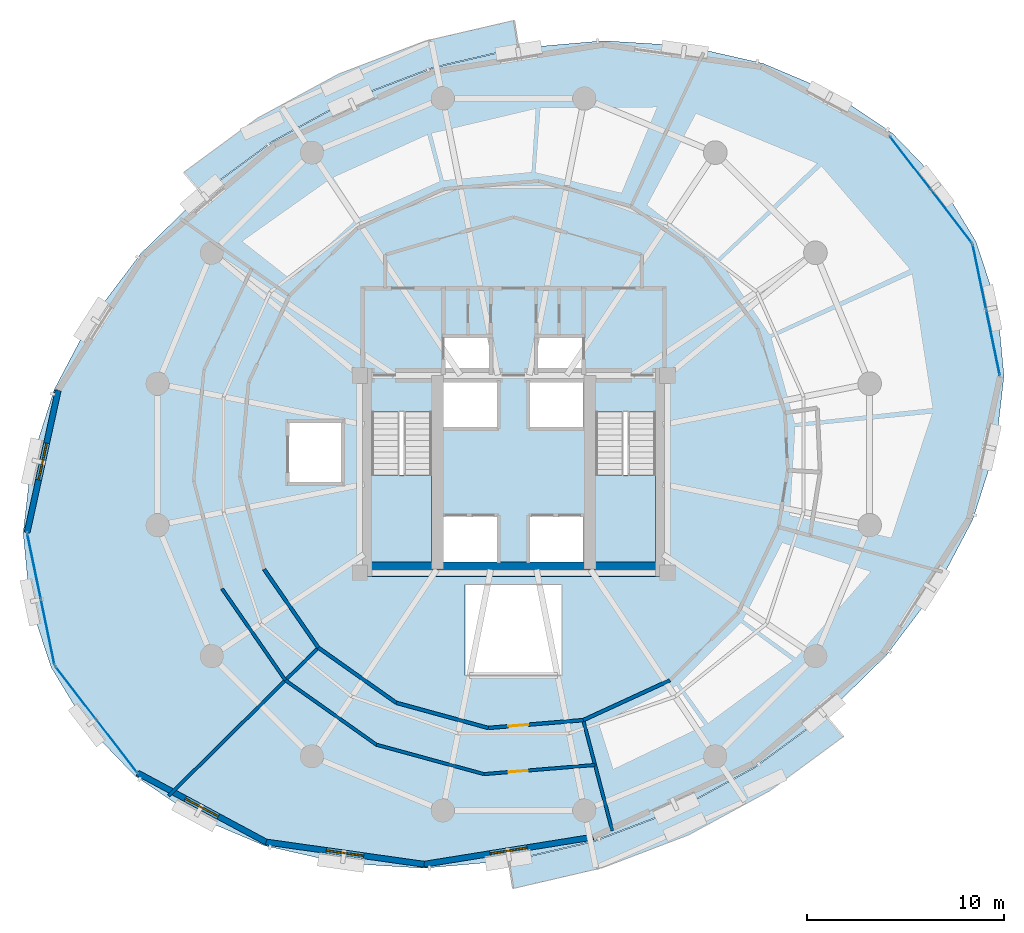
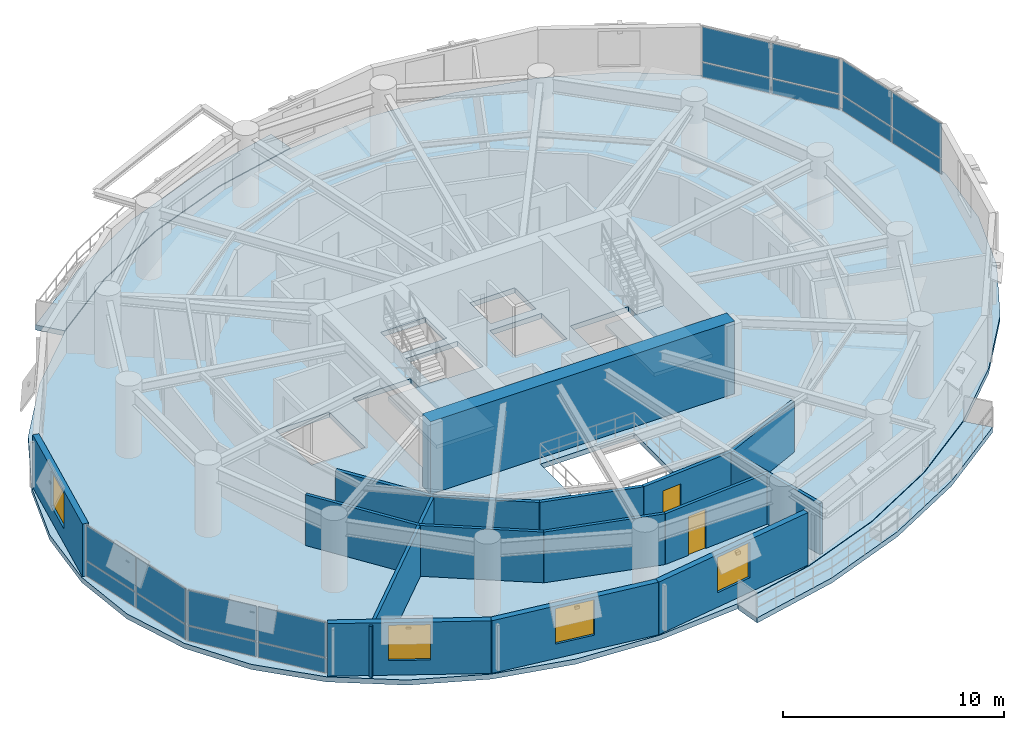
# One storey, part 9 of 14: 16 plates, 16 walls, 5 slabs, 4 windows, 2 doors, 6 openings, 6 elements without a shape of their own.
"""IFC4 building model written with IfcOpenShell, lengths in metres."""

from ifc_helpers import new_model, si_unit, direction, frame, frame_2d, origin, origin_2d, place, context, subcontext, project, spatial, polyline, rectangle, outline, extrude, material, layer, layer_set, type_object, element, fill, aggregate, save


model = new_model("IFC4")

# Units and contexts
model_context = context("Model", 3, precision=1e-05, world=origin(), true_north=direction((0.0, 1.0)))
body_context = subcontext(model_context, "Body", "Model", "MODEL_VIEW")
ifc_project = project(units=[si_unit("LENGTHUNIT", "METRE"), si_unit("AREAUNIT", "SQUARE_METRE"), si_unit("VOLUMEUNIT", "CUBIC_METRE"), si_unit("PLANEANGLEUNIT", "RADIAN"), si_unit("MASSUNIT", "GRAM", prefix="KILO"), si_unit("THERMODYNAMICTEMPERATUREUNIT", "KELVIN"), si_unit("POWERUNIT", "WATT")], contexts=[model_context])

# Site, building, storey
site_placement = place(None, origin())
site = spatial("IfcSite", under=ifc_project, at=site_placement, CompositionType="ELEMENT")
building_placement = place(site_placement, origin())
building = spatial("IfcBuilding", under=site, at=building_placement, Name="Ocrelia Relay Tower", CompositionType="ELEMENT")
storey_placement = place(building_placement, frame((0.0, 0.0, 137.800048828125)))
storey = spatial("IfcBuildingStorey", under=building, at=storey_placement, Name="L32", CompositionType="ELEMENT", Elevation=137.800048828125)

# Curtain wall, plates
ifc_material_1 = material(Name="Aluminium and solar-control low-E glass", Category="aluminium")
ifc_layer_1 = layer(ifc_material_1, 0.179931640625, Name="Aluminium and solar-control low-E glass")
ifc_layer_set_1 = layer_set([ifc_layer_1], Name="Aluminium and solar-control low-E glass")
curtain_wall_type = type_object("IfcCurtainWallType", Name="CW-SYS-Z2-SWIT", PredefinedType="NOTDEFINED", material=ifc_layer_set_1)
curtain_wall_1_placement = place(storey_placement, origin())
curtain_wall_1 = element("IfcCurtainWall", 1, at=curtain_wall_1_placement, inside=storey, type_object=curtain_wall_type, Name="L32 Elliptical Tower Curtain Wall Bay 01", PredefinedType="NOTDEFINED")
ifc_material_2 = material(Name="Clear double-glazed low-E glass", Category="glass")
ifc_layer_2 = layer(ifc_material_2, 0.031982421875, Name="Clear double-glazed low-E glass")
ifc_layer_set_2 = layer_set([ifc_layer_2], Name="Clear double-glazed low-E glass")
plate_type = type_object("IfcPlateType", Name="CW-SYS-Z2-SWIT-PNL", PredefinedType="CURTAIN_PANEL", material=ifc_layer_set_2)
plate_1_placement = place(storey_placement, frame((56.196044921875, 38.072509765625, 0.059814453125), z_axis=(0.0, 0.0, 1.0), x_axis=(-0.611103634519, 0.791550597168, 0.0)))
plate_1 = element("IfcPlate", 2, at=plate_1_placement, type_object=plate_type, Name="CW-Z2 panel 1.1", PredefinedType="CURTAIN_PANEL", context=body_context, shape_type="SweptSolid", body=[
    extrude(rectangle(XDim=3.33447265625, YDim=0.031982421875, at=origin_2d()), origin(), (0.0, 0.0, 1.0), 0.81005859375),
])
plate_2_placement = place(storey_placement, frame((56.196044921875, 38.072509765625, 0.93017578125), z_axis=(0.0, 0.0, 1.0), x_axis=(-0.611103634519, 0.791550597168, 0.0)))
plate_2 = element("IfcPlate", 3, at=plate_2_placement, type_object=plate_type, Name="CW-Z2 panel 1.2", PredefinedType="CURTAIN_PANEL", context=body_context, shape_type="SweptSolid", body=[
    extrude(rectangle(XDim=3.33447265625, YDim=0.031982421875, at=origin_2d()), origin(), (0.0, 0.0, 1.0), 1.909912109375),
])
plate_3_placement = place(storey_placement, frame((54.11572265625, 40.767333984375, 0.059814453125), z_axis=(0.0, 0.0, 1.0), x_axis=(-0.611103634519, 0.791550597168, 0.0)))
plate_3 = element("IfcPlate", 4, at=plate_3_placement, type_object=plate_type, Name="CW-Z2 panel 2.1", PredefinedType="CURTAIN_PANEL", context=body_context, shape_type="SweptSolid", body=[
    extrude(rectangle(XDim=3.33447265625, YDim=0.031982421875, at=origin_2d()), origin(), (0.0, 0.0, 1.0), 0.81005859375),
])
plate_4_placement = place(storey_placement, frame((54.11572265625, 40.767333984375, 0.93017578125), z_axis=(0.0, 0.0, 1.0), x_axis=(-0.611103634519, 0.791550597168, 0.0)))
plate_4 = element("IfcPlate", 5, at=plate_4_placement, type_object=plate_type, Name="CW-Z2 panel 2.2", PredefinedType="CURTAIN_PANEL", context=body_context, shape_type="SweptSolid", body=[
    extrude(rectangle(XDim=3.33447265625, YDim=0.031982421875, at=origin_2d()), origin(), (0.0, 0.0, 1.0), 1.909912109375),
])
aggregate(curtain_wall_1, [plate_1, plate_2, plate_3, plate_4])

curtain_wall_2_placement = place(storey_placement, origin())
curtain_wall_2 = element("IfcCurtainWall", 6, at=curtain_wall_2_placement, inside=storey, type_object=curtain_wall_type, Name="L32 Elliptical Tower Curtain Wall Bay 09", PredefinedType="NOTDEFINED")
plate_5_placement = place(storey_placement, frame((9.69677734375, 20.3369140625, 0.059814453125), z_axis=(0.0, 0.0, 1.0), x_axis=(0.203312170747, -0.979113967435, 0.0)))
plate_5 = element("IfcPlate", 7, at=plate_5_placement, type_object=plate_type, Name="CW-Z2 panel 1.1", PredefinedType="CURTAIN_PANEL", context=body_context, shape_type="SweptSolid", body=[
    extrude(rectangle(XDim=3.33447265625, YDim=0.031982421875, at=origin_2d()), origin(), (0.0, 0.0, 1.0), 0.81005859375),
])
plate_6_placement = place(storey_placement, frame((9.69677734375, 20.3369140625, 0.93017578125), z_axis=(0.0, 0.0, 1.0), x_axis=(0.203312170747, -0.979113967435, 0.0)))
plate_6 = element("IfcPlate", 8, at=plate_6_placement, type_object=plate_type, Name="CW-Z2 panel 1.2", PredefinedType="CURTAIN_PANEL", context=body_context, shape_type="SweptSolid", body=[
    extrude(rectangle(XDim=3.33447265625, YDim=0.031982421875, at=origin_2d()), origin(), (0.0, 0.0, 1.0), 1.909912109375),
])
plate_7_placement = place(storey_placement, frame((10.388916015625, 17.003662109375, 0.059814453125), z_axis=(0.0, 0.0, 1.0), x_axis=(0.203312170747, -0.979113967435, 0.0)))
plate_7 = element("IfcPlate", 9, at=plate_7_placement, type_object=plate_type, Name="CW-Z2 panel 2.1", PredefinedType="CURTAIN_PANEL", context=body_context, shape_type="SweptSolid", body=[
    extrude(rectangle(XDim=3.33447265625, YDim=0.031982421875, at=origin_2d()), origin(), (0.0, 0.0, 1.0), 0.81005859375),
])
plate_8_placement = place(storey_placement, frame((10.388916015625, 17.003662109375, 0.93017578125), z_axis=(0.0, 0.0, 1.0), x_axis=(0.203312170747, -0.979113967435, 0.0)))
plate_8 = element("IfcPlate", 10, at=plate_8_placement, type_object=plate_type, Name="CW-Z2 panel 2.2", PredefinedType="CURTAIN_PANEL", context=body_context, shape_type="SweptSolid", body=[
    extrude(rectangle(XDim=3.33447265625, YDim=0.031982421875, at=origin_2d()), origin(), (0.0, 0.0, 1.0), 1.909912109375),
])
aggregate(curtain_wall_2, [plate_5, plate_6, plate_7, plate_8])

curtain_wall_3_placement = place(storey_placement, origin())
curtain_wall_3 = element("IfcCurtainWall", 11, at=curtain_wall_3_placement, inside=storey, type_object=curtain_wall_type, Name="L32 Elliptical Tower Curtain Wall Bay 10", PredefinedType="NOTDEFINED")
plate_9_placement = place(storey_placement, frame((11.803955078125, 13.927490234375, 0.059814453125), z_axis=(0.0, 0.0, 1.0), x_axis=(0.611103634519, -0.791550597168, 0.0)))
plate_9 = element("IfcPlate", 12, at=plate_9_placement, type_object=plate_type, Name="CW-Z2 panel 1.1", PredefinedType="CURTAIN_PANEL", context=body_context, shape_type="SweptSolid", body=[
    extrude(rectangle(XDim=3.33447265625, YDim=0.031982421875, at=origin_2d()), origin(), (0.0, 0.0, 1.0), 0.81005859375),
])
plate_10_placement = place(storey_placement, frame((11.803955078125, 13.927490234375, 0.93017578125), z_axis=(0.0, 0.0, 1.0), x_axis=(0.611103634519, -0.791550597168, 0.0)))
plate_10 = element("IfcPlate", 13, at=plate_10_placement, type_object=plate_type, Name="CW-Z2 panel 1.2", PredefinedType="CURTAIN_PANEL", context=body_context, shape_type="SweptSolid", body=[
    extrude(rectangle(XDim=3.33447265625, YDim=0.031982421875, at=origin_2d()), origin(), (0.0, 0.0, 1.0), 1.909912109375),
])
plate_11_placement = place(storey_placement, frame((13.88427734375, 11.232666015625, 0.059814453125), z_axis=(0.0, 0.0, 1.0), x_axis=(0.611103634519, -0.791550597168, 0.0)))
plate_11 = element("IfcPlate", 14, at=plate_11_placement, type_object=plate_type, Name="CW-Z2 panel 2.1", PredefinedType="CURTAIN_PANEL", context=body_context, shape_type="SweptSolid", body=[
    extrude(rectangle(XDim=3.33447265625, YDim=0.031982421875, at=origin_2d()), origin(), (0.0, 0.0, 1.0), 0.81005859375),
])
plate_12_placement = place(storey_placement, frame((13.88427734375, 11.232666015625, 0.93017578125), z_axis=(0.0, 0.0, 1.0), x_axis=(0.611103634519, -0.791550597168, 0.0)))
plate_12 = element("IfcPlate", 15, at=plate_12_placement, type_object=plate_type, Name="CW-Z2 panel 2.2", PredefinedType="CURTAIN_PANEL", context=body_context, shape_type="SweptSolid", body=[
    extrude(rectangle(XDim=3.33447265625, YDim=0.031982421875, at=origin_2d()), origin(), (0.0, 0.0, 1.0), 1.909912109375),
])
aggregate(curtain_wall_3, [plate_9, plate_10, plate_11, plate_12])

curtain_wall_4_placement = place(storey_placement, origin())
curtain_wall_4 = element("IfcCurtainWall", 16, at=curtain_wall_4_placement, inside=storey, type_object=curtain_wall_type, Name="L32 Elliptical Tower Curtain Wall Bay 18", PredefinedType="NOTDEFINED")
plate_13_placement = place(storey_placement, frame((58.30322265625, 31.6630859375, 0.059814453125), z_axis=(0.0, 0.0, 1.0), x_axis=(-0.203312170747, 0.979113967435, 0.0)))
plate_13 = element("IfcPlate", 17, at=plate_13_placement, type_object=plate_type, Name="CW-Z2 panel 1.1", PredefinedType="CURTAIN_PANEL", context=body_context, shape_type="SweptSolid", body=[
    extrude(rectangle(XDim=3.33447265625, YDim=0.031982421875, at=origin_2d()), origin(), (0.0, 0.0, 1.0), 0.81005859375),
])
plate_14_placement = place(storey_placement, frame((58.30322265625, 31.6630859375, 0.93017578125), z_axis=(0.0, 0.0, 1.0), x_axis=(-0.203312170747, 0.979113967435, 0.0)))
plate_14 = element("IfcPlate", 18, at=plate_14_placement, type_object=plate_type, Name="CW-Z2 panel 1.2", PredefinedType="CURTAIN_PANEL", context=body_context, shape_type="SweptSolid", body=[
    extrude(rectangle(XDim=3.33447265625, YDim=0.031982421875, at=origin_2d()), origin(), (0.0, 0.0, 1.0), 1.909912109375),
])
plate_15_placement = place(storey_placement, frame((57.611083984375, 34.996337890625, 0.059814453125), z_axis=(0.0, 0.0, 1.0), x_axis=(-0.203312170747, 0.979113967435, 0.0)))
plate_15 = element("IfcPlate", 19, at=plate_15_placement, type_object=plate_type, Name="CW-Z2 panel 2.1", PredefinedType="CURTAIN_PANEL", context=body_context, shape_type="SweptSolid", body=[
    extrude(rectangle(XDim=3.33447265625, YDim=0.031982421875, at=origin_2d()), origin(), (0.0, 0.0, 1.0), 0.81005859375),
])
plate_16_placement = place(storey_placement, frame((57.611083984375, 34.996337890625, 0.93017578125), z_axis=(0.0, 0.0, 1.0), x_axis=(-0.203312170747, 0.979113967435, 0.0)))
plate_16 = element("IfcPlate", 20, at=plate_16_placement, type_object=plate_type, Name="CW-Z2 panel 2.2", PredefinedType="CURTAIN_PANEL", context=body_context, shape_type="SweptSolid", body=[
    extrude(rectangle(XDim=3.33447265625, YDim=0.031982421875, at=origin_2d()), origin(), (0.0, 0.0, 1.0), 1.909912109375),
])
aggregate(curtain_wall_4, [plate_13, plate_14, plate_15, plate_16])

# Slabs
ifc_material_3 = material(Name="Precast concrete C40/50", Category="concrete")
ifc_layer_3 = layer(ifc_material_3, 0.280029296875, Name="Precast concrete C40/50")
ifc_layer_set_3 = layer_set([ifc_layer_3], Name="Precast concrete C40/50")
slab_type_1 = type_object("IfcSlabType", Name="SL-BALC-280", PredefinedType="FLOOR", material=ifc_layer_set_3)
slab_1_placement = place(storey_placement, frame((0.0, 0.0, -0.280029296875)))
element("IfcSlab", 21, at=slab_1_placement, inside=storey, type_object=slab_type_1, Name="L32 Planted Loggia Balcony B1", PredefinedType="FLOOR", context=body_context, shape_type="SweptSolid", body=[
    extrude(outline(polyline([(34.2373046875, 46.62060546875), (32.075439453125, 46.118408203125), (29.913330078125, 45.6162109375), (25.713623046875, 44.015869140625), (21.765625, 41.868408203125), (19.977294921875, 40.5537109375), (18.18896484375, 39.2392578125), (17.28662109375, 40.301025390625), (19.152587890625, 41.6728515625), (21.018310546875, 43.04443359375), (25.131591796875, 45.281494140625), (29.5068359375, 46.948486328125), (31.762451171875, 47.47265625), (34.018310546875, 47.99658203125), (34.2373046875, 46.62060546875)])), origin(), (0.0, 0.0, 1.0), 0.280029296875),
])
slab_2_placement = place(storey_placement, frame((0.0, 0.0, -0.280029296875)))
element("IfcSlab", 22, at=slab_2_placement, inside=storey, type_object=slab_type_1, Name="L32 Planted Loggia Balcony B2", PredefinedType="FLOOR", context=body_context, shape_type="SweptSolid", body=[
    extrude(outline(polyline([(33.7626953125, 5.37939453125), (35.924560546875, 5.881591796875), (38.086669921875, 6.3837890625), (42.286376953125, 7.984130859375), (46.234375, 10.131591796875), (48.022705078125, 11.446044921875), (49.81103515625, 12.7607421875), (50.71337890625, 11.698974609375), (48.847412109375, 10.3271484375), (46.981689453125, 8.95556640625), (42.868408203125, 6.718505859375), (38.4931640625, 5.051513671875), (36.237548828125, 4.52734375), (33.981689453125, 4.00341796875), (33.7626953125, 5.37939453125)])), origin(), (0.0, 0.0, 1.0), 0.280029296875),
])
ifc_material_4 = material(Name="Concrete C50/60", Category="concrete")
ifc_layer_4 = layer(ifc_material_4, 0.280029296875, Name="Concrete C50/60")
ifc_layer_set_4 = layer_set([ifc_layer_4], Name="Concrete C50/60")
slab_type_2 = type_object("IfcSlabType", Name="SL-FLR-280", PredefinedType="FLOOR", material=ifc_layer_set_4)
slab_3_placement = place(storey_placement, frame((0.0, 0.0, -0.280029296875)))
element("IfcSlab", 23, at=slab_3_placement, inside=storey, type_object=slab_type_2, Name="L32 Elliptical Tower Floor Slab", PredefinedType="FLOOR", context=body_context, shape_type="SweptSolid", body=[
    extrude(outline(polyline([(57.439453125, 36.781005859375), (55.646728515625, 39.74072265625), (53.196044921875, 42.283203125), (50.162353515625, 44.330810546875), (46.637451171875, 45.821533203125), (42.728515625, 46.709716796875), (38.554443359375, 46.968994140625), (34.241943359375, 46.5908203125), (29.922119140625, 45.58740234375), (25.726318359375, 43.988525390625), (21.78173828125, 41.843017578125), (18.20849609375, 39.21630859375), (15.114990234375, 36.18798828125), (12.59521484375, 32.85009765625), (10.72607421875, 29.30419921875), (9.56396484375, 25.65771484375), (9.144287109375, 22.021484375), (9.47998046875, 18.506591796875), (10.560546875, 15.218994140625), (12.353271484375, 12.25927734375), (14.803955078125, 9.716796875), (17.837646484375, 7.669189453125), (21.362548828125, 6.178466796875), (25.271484375, 5.290283203125), (29.445556640625, 5.031005859375), (33.758056640625, 5.4091796875), (38.077880859375, 6.41259765625), (42.273681640625, 8.011474609375), (46.21826171875, 10.156982421875), (49.79150390625, 12.78369140625), (52.885009765625, 15.81201171875), (55.40478515625, 19.14990234375), (57.27392578125, 22.69580078125), (58.43603515625, 26.34228515625), (58.855712890625, 29.978515625), (58.52001953125, 33.493408203125), (57.439453125, 36.781005859375)]), holes=[polyline([(26.81005859375, 28.14990234375), (26.81005859375, 20.550048828125), (29.85009765625, 20.550048828125), (29.85009765625, 28.14990234375), (26.81005859375, 28.14990234375)]), polyline([(38.159912109375, 28.14990234375), (38.159912109375, 20.550048828125), (41.199951171875, 20.550048828125), (41.199951171875, 28.14990234375), (38.159912109375, 28.14990234375)]), polyline([(30.4599609375, 20.550048828125), (33.159912109375, 20.550048828125), (33.159912109375, 22.85009765625), (30.4599609375, 22.85009765625), (30.4599609375, 20.550048828125)]), polyline([(34.840087890625, 20.550048828125), (37.5400390625, 20.550048828125), (37.5400390625, 22.85009765625), (34.840087890625, 22.85009765625), (34.840087890625, 20.550048828125)]), polyline([(30.4599609375, 27.35009765625), (33.159912109375, 27.35009765625), (33.159912109375, 29.64990234375), (30.4599609375, 29.64990234375), (30.4599609375, 27.35009765625)]), polyline([(34.840087890625, 27.35009765625), (37.5400390625, 27.35009765625), (37.5400390625, 29.64990234375), (34.840087890625, 29.64990234375), (34.840087890625, 27.35009765625)]), polyline([(30.5, 30.10009765625), (32.85009765625, 30.10009765625), (32.85009765625, 32.0), (30.5, 32.0), (30.5, 30.10009765625)]), polyline([(35.14990234375, 30.10009765625), (37.5, 30.10009765625), (37.5, 32.0), (35.14990234375, 32.0), (35.14990234375, 30.10009765625)]), polyline([(22.550048828125, 24.5), (25.35009765625, 24.5), (25.35009765625, 27.699951171875), (22.550048828125, 27.699951171875), (22.550048828125, 24.5)]), polyline([(31.550048828125, 14.800048828125), (36.449951171875, 14.800048828125), (36.449951171875, 19.39990234375), (31.550048828125, 19.39990234375), (31.550048828125, 14.800048828125)])]), origin(), (0.0, 0.0, 1.0), 0.280029296875),
])

# Stair, slab
stair_type = type_object("IfcStairType", Name="ST-DL-1420-R167", PredefinedType="HALF_TURN_STAIR", material=ifc_material_4)
stair_1_placement = place(storey_placement, origin())
stair_1 = element("IfcStair", 24, at=stair_1_placement, inside=storey, type_object=stair_type, Name="L32 West Core Exit Stair ST1", PredefinedType="HALF_TURN_STAIR")
ifc_layer_5 = layer(ifc_material_4, 0.199951171875, Name="Concrete C50/60")
ifc_layer_set_5 = layer_set([ifc_layer_5], Name="Concrete C50/60")
slab_type_3 = type_object("IfcSlabType", Name="SL-LANDING-200", PredefinedType="LANDING", material=ifc_layer_set_5)
slab_4_placement = place(storey_placement, frame((0.0, 0.0, 1.800048828125)))
slab_4 = element("IfcSlab", 25, at=slab_4_placement, type_object=slab_type_3, Name="ST1 landing 1", PredefinedType="LANDING", context=body_context, shape_type="SweptSolid", body=[
    extrude(outline(polyline([(26.81005859375, 24.9599609375), (26.81005859375, 20.550048828125), (29.85009765625, 20.550048828125), (29.85009765625, 24.9599609375), (26.81005859375, 24.9599609375)])), origin(), (0.0, 0.0, 1.0), 0.199951171875),
])
aggregate(stair_1, [slab_4])

stair_2_placement = place(storey_placement, origin())
stair_2 = element("IfcStair", 26, at=stair_2_placement, inside=storey, type_object=stair_type, Name="L32 East Core Exit Stair ST2", PredefinedType="HALF_TURN_STAIR")
slab_5_placement = place(storey_placement, frame((0.0, 0.0, 1.800048828125)))
slab_5 = element("IfcSlab", 27, at=slab_5_placement, type_object=slab_type_3, Name="ST2 landing 1", PredefinedType="LANDING", context=body_context, shape_type="SweptSolid", body=[
    extrude(outline(polyline([(38.159912109375, 24.9599609375), (38.159912109375, 20.550048828125), (41.199951171875, 20.550048828125), (41.199951171875, 24.9599609375), (38.159912109375, 24.9599609375)])), origin(), (0.0, 0.0, 1.0), 0.199951171875),
])
aggregate(stair_2, [slab_5])

# Walls
ifc_material_5 = material(Name="Concrete C60/75", Category="concrete")
ifc_layer_6 = layer(ifc_material_5, 0.75, Name="Concrete C60/75")
ifc_layer_set_6 = layer_set([ifc_layer_6], Name="Concrete C60/75")
wall_type_1 = type_object("IfcWallType", Name="CW-CORE-750", PredefinedType="SHEAR", material=ifc_layer_set_6)
wall_1_placement = place(storey_placement, frame((26.072021484375, 20.18701171875, 0.0), z_axis=(0.0, 0.0, 1.0), x_axis=(1.0, 0.0, 0.0)))
element("IfcWall", 28, at=wall_1_placement, inside=storey, type_object=wall_type_1, Name="L32 Core Shear Wall S", PredefinedType="SHEAR", context=body_context, shape_type="SweptSolid", body=[
    extrude(rectangle(XDim=15.865966796875, YDim=0.75, at=frame_2d((7.93310546875, 0.0))), origin(), (0.0, 0.0, 1.0), 4.0),
])
ifc_material_6 = material(Name="Gypsum Fireboard Partition EI60", Category="gypsum")
ifc_layer_7 = layer(ifc_material_6, 0.179931640625, Name="Gypsum Fireboard Partition EI60")
ifc_layer_set_7 = layer_set([ifc_layer_7], Name="Gypsum Fireboard Partition EI60")
wall_type_2 = type_object("IfcWallType", Name="W-CORR-EI60-180", PredefinedType="PARTITIONING", material=ifc_layer_set_7)
wall_2_placement = place(storey_placement, frame((21.353515625, 20.183349609375, 0.0), z_axis=(0.0, 0.0, 1.0), x_axis=(0.569286130339, -0.822139466151, 0.0)))
element("IfcWall", 29, at=wall_2_placement, inside=storey, type_object=wall_type_2, Name="L32 Executive Reading Study Corridor Partition 4", PredefinedType="PARTITIONING", context=body_context, shape_type="SweptSolid", body=[
    extrude(rectangle(XDim=4.83447265625, YDim=0.179931640625, at=frame_2d((2.417236328125, 0.0))), origin(), (0.0, 0.0, 1.0), 2.800048828125),
])
for number, where, z_axis, x_axis, name in (
    (30, (24.105712890625, 16.208740234375, 0.0), (0.0, 0.0, 1.0), (0.816152495169, -0.577836572596, 0.0), "L32 Day Lounge East Corridor Partition 1"),
    (31, (28.05126953125, 13.415283203125, 0.0), (0.0, 0.0, 1.0), (0.964543215503, -0.263924961737, 0.0), "L32 Day Lounge East Corridor Partition 2"),
):
    element("IfcWall", number, at=place(storey_placement, frame(where, z_axis=z_axis, x_axis=x_axis)), inside=storey, type_object=wall_type_2, Name=name, PredefinedType="PARTITIONING", context=body_context, shape_type="SweptSolid", body=[
        extrude(rectangle(XDim=4.834228515625, YDim=0.179931640625, at=frame_2d((2.4169921875, 0.0))), origin(), (0.0, 0.0, 1.0), 2.800048828125),
    ])

# Wall, opening, door
wall_3_placement = place(storey_placement, frame((32.714111328125, 12.139404296875, 0.0), z_axis=(0.0, 0.0, 1.0), x_axis=(0.996635375419, 0.081962970069, 0.0)))
wall_3 = element("IfcWall", 32, at=wall_3_placement, inside=storey, type_object=wall_type_2, Name="L32 Day Lounge East Corridor Partition 3", PredefinedType="PARTITIONING", context=body_context, shape_type="SweptSolid", body=[
    extrude(rectangle(XDim=4.83447265625, YDim=0.179931640625, at=frame_2d((2.417236328125, 0.0))), origin(), (0.0, 0.0, 1.0), 2.800048828125),
])
opening_1_placement = place(wall_3_placement, frame((1.03369140625, 0.0, 0.0)))
opening_1 = element("IfcOpeningElement", 33, at=opening_1_placement, cuts=wall_3, Name="Opening D-RM100", PredefinedType="OPENING", context=body_context, shape_type="SweptSolid", body=[
    extrude(rectangle(XDim=1.0, YDim=2.14990234375, at=frame_2d((0.5, 1.074951171875))), frame((0.0, 0.10009765625, 0.0), z_axis=(0.0, -1.0, 0.0), x_axis=(1.0, 0.0, 0.0)), (0.0, 0.0, 1.0), 0.199951171875),
])
ifc_material_7 = material(Name="Acoustic oak veneer fire door", Category="wood")
door_type_1 = type_object("IfcDoorType", Name="DR-ROOM-FD60-1000", OperationType="NOTDEFINED", PredefinedType="DOOR", material=ifc_material_7)
door_1_placement = place(opening_1_placement, origin())
door_1 = element("IfcDoor", 34, at=door_1_placement, inside=storey, type_object=door_type_1, Name="L32 Day Lounge East Entrance Door", OperationType="SINGLE_SWING_RIGHT", OverallHeight=2.14990234375, OverallWidth=1.0, PredefinedType="DOOR", context=body_context, shape_type="SweptSolid", body=[
    extrude(rectangle(XDim=1.0, YDim=2.14990234375, at=frame_2d((0.5, 1.074951171875))), frame((0.0, 0.02490234375, 0.0), z_axis=(0.0, -1.0, 0.0), x_axis=(1.0, 0.0, 0.0)), (0.0, 0.0, 1.0), 0.050048828125),
])
fill(opening_1, door_1)

# Wall
wall_4_placement = place(storey_placement, frame((37.5322265625, 12.53564453125, 0.0), z_axis=(0.0, 0.0, 1.0), x_axis=(0.90849812175, 0.417888935935, 0.0)))
element("IfcWall", 35, at=wall_4_placement, inside=storey, type_object=wall_type_2, Name="L32 Optical Systems Laboratory Corridor Partition 1", PredefinedType="PARTITIONING", context=body_context, shape_type="SweptSolid", body=[
    extrude(rectangle(XDim=4.83447265625, YDim=0.179931640625, at=frame_2d((2.417236328125, 0.0))), origin(), (0.0, 0.0, 1.0), 2.800048828125),
])

# Wall, opening, window
ifc_material_8 = material(Name="Precast concrete C40/50 with oxide terracotta", Category="masonry")
ifc_layer_8 = layer(ifc_material_8, 0.300048828125, Name="Precast concrete C40/50 with oxide terracotta")
ifc_layer_set_8 = layer_set([ifc_layer_8], Name="Precast concrete C40/50 with oxide terracotta")
wall_type_3 = type_object("IfcWallType", Name="W-EXT-TERR-300", PredefinedType="SOLIDWALL", material=ifc_layer_set_8)
wall_5_placement = place(storey_placement, frame((10.9189453125, 29.251220703125, 0.0), z_axis=(0.0, 0.0, 1.0), x_axis=(-0.213382283, -0.976968782153, 0.0)))
wall_5 = element("IfcWall", 36, at=wall_5_placement, inside=storey, type_object=wall_type_3, Name="L32 Oxide Terracotta Facade Wall 08", PredefinedType="SOLIDWALL", context=body_context, shape_type="SweptSolid", body=[
    extrude(rectangle(XDim=7.383056640625, YDim=0.300048828125, at=frame_2d((3.69140625, 0.0))), origin(), (0.0, 0.0, 1.0), 2.89990234375),
])
opening_2_placement = place(wall_5_placement, frame((2.741943359375, 0.0, 0.800048828125)))
opening_2 = element("IfcOpeningElement", 37, at=opening_2_placement, cuts=wall_5, Name="Opening W-06", PredefinedType="OPENING", context=body_context, shape_type="SweptSolid", body=[
    extrude(rectangle(XDim=1.89990234375, YDim=1.949951171875, at=frame_2d((0.949951171875, 0.97509765625))), frame((0.0, 0.16015625, 0.0), z_axis=(0.0, -1.0, 0.0), x_axis=(1.0, 0.0, 0.0)), (0.0, 0.0, 1.0), 0.320068359375),
])
window_type = type_object("IfcWindowType", Name="WIN-Z2-1900x2100", PartitioningType="DOUBLE_PANEL_VERTICAL", PredefinedType="WINDOW", material=ifc_material_2)
window_1_placement = place(opening_2_placement, origin())
window_1 = element("IfcWindow", 38, at=window_1_placement, inside=storey, type_object=window_type, Name="L32 Facade Module Window 08", OverallHeight=1.949951171875, OverallWidth=1.89990234375, PartitioningType="SINGLE_PANEL", PredefinedType="WINDOW", context=body_context, shape_type="SweptSolid", body=[
    extrude(rectangle(XDim=1.89990234375, YDim=1.949951171875, at=frame_2d((0.949951171875, 0.97509765625))), frame((0.0, 0.030029296875, 0.0), z_axis=(0.0, -1.0, 0.0), x_axis=(1.0, 0.0, 0.0)), (0.0, 0.0, 1.0), 0.06005859375),
])
fill(opening_2, window_1)

wall_6_placement = place(storey_placement, frame((14.946044921875, 9.857421875, 0.0), z_axis=(0.0, 0.0, 1.0), x_axis=(0.880640929012, -0.473784290736, 0.0)))
wall_6 = element("IfcWall", 39, at=wall_6_placement, inside=storey, type_object=wall_type_3, Name="L32 Oxide Terracotta Facade Wall 11", PredefinedType="SOLIDWALL", context=body_context, shape_type="SweptSolid", body=[
    extrude(rectangle(XDim=7.38330078125, YDim=0.300048828125, at=frame_2d((3.691650390625, 0.0))), origin(), (0.0, 0.0, 1.0), 2.89990234375),
])
opening_3_placement = place(wall_6_placement, frame((2.741943359375, 0.0, 0.800048828125)))
opening_3 = element("IfcOpeningElement", 40, at=opening_3_placement, cuts=wall_6, Name="Opening W-06", PredefinedType="OPENING", context=body_context, shape_type="SweptSolid", body=[
    extrude(rectangle(XDim=1.89990234375, YDim=1.949951171875, at=frame_2d((0.949951171875, 0.97509765625))), frame((0.0, 0.16015625, 0.0), z_axis=(0.0, -1.0, 0.0), x_axis=(1.0, 0.0, 0.0)), (0.0, 0.0, 1.0), 0.320068359375),
])
window_2_placement = place(opening_3_placement, origin())
window_2 = element("IfcWindow", 41, at=window_2_placement, inside=storey, type_object=window_type, Name="L32 Facade Module Window 11", OverallHeight=1.949951171875, OverallWidth=1.89990234375, PartitioningType="SINGLE_PANEL", PredefinedType="WINDOW", context=body_context, shape_type="SweptSolid", body=[
    extrude(rectangle(XDim=1.89990234375, YDim=1.949951171875, at=frame_2d((0.949951171875, 0.97509765625))), frame((0.0, 0.030029296875, 0.0), z_axis=(0.0, -1.0, 0.0), x_axis=(1.0, 0.0, 0.0)), (0.0, 0.0, 1.0), 0.06005859375),
])
fill(opening_3, window_2)

wall_7_placement = place(storey_placement, frame((21.447998046875, 6.359375, 0.0), z_axis=(0.0, 0.0, 1.0), x_axis=(0.990224451803, -0.139483099518, 0.0)))
wall_7 = element("IfcWall", 42, at=wall_7_placement, inside=storey, type_object=wall_type_3, Name="L32 Oxide Terracotta Facade Wall 12", PredefinedType="SOLIDWALL", context=body_context, shape_type="SweptSolid", body=[
    extrude(rectangle(XDim=8.09521484375, YDim=0.300048828125, at=frame_2d((4.047607421875, 0.0))), origin(), (0.0, 0.0, 1.0), 2.89990234375),
])
opening_4_placement = place(wall_7_placement, frame((3.097900390625, 0.0, 0.800048828125)))
opening_4 = element("IfcOpeningElement", 43, at=opening_4_placement, cuts=wall_7, Name="Opening W-06", PredefinedType="OPENING", context=body_context, shape_type="SweptSolid", body=[
    extrude(rectangle(XDim=1.89990234375, YDim=1.949951171875, at=frame_2d((0.949951171875, 0.97509765625))), frame((0.0, 0.16015625, 0.0), z_axis=(0.0, -1.0, 0.0), x_axis=(1.0, 0.0, 0.0)), (0.0, 0.0, 1.0), 0.320068359375),
])
window_3_placement = place(opening_4_placement, origin())
window_3 = element("IfcWindow", 44, at=window_3_placement, inside=storey, type_object=window_type, Name="L32 Facade Module Window 12", OverallHeight=1.949951171875, OverallWidth=1.89990234375, PartitioningType="SINGLE_PANEL", PredefinedType="WINDOW", context=body_context, shape_type="SweptSolid", body=[
    extrude(rectangle(XDim=1.89990234375, YDim=1.949951171875, at=frame_2d((0.949951171875, 0.97509765625))), frame((0.0, 0.030029296875, 0.0), z_axis=(0.0, -1.0, 0.0), x_axis=(1.0, 0.0, 0.0)), (0.0, 0.0, 1.0), 0.06005859375),
])
fill(opening_4, window_3)

wall_8_placement = place(storey_placement, frame((29.464111328125, 5.230224609375, 0.0), z_axis=(0.0, 0.0, 1.0), x_axis=(0.987334308652, 0.158653594217, 0.0)))
wall_8 = element("IfcWall", 45, at=wall_8_placement, inside=storey, type_object=wall_type_3, Name="L32 Oxide Terracotta Facade Wall 13", PredefinedType="SOLIDWALL", context=body_context, shape_type="SweptSolid", body=[
    extrude(rectangle(XDim=8.6728515625, YDim=0.300048828125, at=frame_2d((4.33642578125, 0.0))), origin(), (0.0, 0.0, 1.0), 2.89990234375),
])
opening_5_placement = place(wall_8_placement, frame((3.385986328125, 0.0, 0.800048828125)))
opening_5 = element("IfcOpeningElement", 46, at=opening_5_placement, cuts=wall_8, Name="Opening W-06", PredefinedType="OPENING", context=body_context, shape_type="SweptSolid", body=[
    extrude(rectangle(XDim=1.89990234375, YDim=1.949951171875, at=frame_2d((0.949951171875, 0.97509765625))), frame((0.0, 0.16015625, 0.0), z_axis=(0.0, -1.0, 0.0), x_axis=(1.0, 0.0, 0.0)), (0.0, 0.0, 1.0), 0.320068359375),
])
window_4_placement = place(opening_5_placement, origin())
window_4 = element("IfcWindow", 47, at=window_4_placement, inside=storey, type_object=window_type, Name="L32 Facade Module Window 13", OverallHeight=1.949951171875, OverallWidth=1.89990234375, PartitioningType="SINGLE_PANEL", PredefinedType="WINDOW", context=body_context, shape_type="SweptSolid", body=[
    extrude(rectangle(XDim=1.89990234375, YDim=1.949951171875, at=frame_2d((0.949951171875, 0.97509765625))), frame((0.0, 0.030029296875, 0.0), z_axis=(0.0, -1.0, 0.0), x_axis=(1.0, 0.0, 0.0)), (0.0, 0.0, 1.0), 0.06005859375),
])
fill(opening_5, window_4)

# Walls
ifc_material_9 = material(Name="Acoustic Fireboard Partition EI60", Category="gypsum")
ifc_layer_9 = layer(ifc_material_9, 0.159912109375, Name="Acoustic Fireboard Partition EI60")
ifc_layer_set_9 = layer_set([ifc_layer_9], Name="Acoustic Fireboard Partition EI60")
wall_type_4 = type_object("IfcWallType", Name="W-PART-160", PredefinedType="PARTITIONING", material=ifc_layer_set_9)
wall_9_placement = place(storey_placement, frame((24.105712890625, 16.208740234375, 0.0), z_axis=(0.0, 0.0, 1.0), x_axis=(-0.710810236464, -0.703383826754, 0.0)))
element("IfcWall", 48, at=wall_9_placement, inside=storey, type_object=wall_type_4, Name="L32 Executive Reading Study Radial Partition", PredefinedType="PARTITIONING", context=body_context, shape_type="SweptSolid", body=[
    extrude(rectangle(XDim=10.684326171875, YDim=0.159912109375, at=frame_2d((5.34228515625, 0.0))), origin(), (0.0, 0.0, 1.0), 2.800048828125),
])
wall_10_placement = place(storey_placement, frame((19.218505859375, 19.201416015625, 0.0), z_axis=(0.0, 0.0, 1.0), x_axis=(0.56929085893, -0.822136191843, 0.0)))
element("IfcWall", 49, at=wall_10_placement, inside=storey, type_object=wall_type_4, Name="L32 Perimeter Executive Reading Study Mid-Ring Partition 4", PredefinedType="PARTITIONING", context=body_context, shape_type="SweptSolid", body=[
    extrude(rectangle(XDim=5.650634765625, YDim=0.159912109375, at=frame_2d((2.8251953125, 0.0))), origin(), (0.0, 0.0, 1.0), 2.800048828125),
])
wall_11_placement = place(storey_placement, frame((37.5322265625, 12.53564453125, 0.0), z_axis=(0.0, 0.0, 1.0), x_axis=(0.253753983921, -0.967268791828, 0.0)))
element("IfcWall", 50, at=wall_11_placement, inside=storey, type_object=wall_type_4, Name="L32 Day Lounge East Radial Partition", PredefinedType="PARTITIONING", context=body_context, shape_type="SweptSolid", body=[
    extrude(rectangle(XDim=5.803466796875, YDim=0.159912109375, at=frame_2d((2.90185546875, 0.0))), origin(), (0.0, 0.0, 1.0), 2.800048828125),
])
wall_12_placement = place(storey_placement, frame((22.435302734375, 14.555908203125, 0.0), z_axis=(0.0, 0.0, 1.0), x_axis=(0.816120422412, -0.577881870388, 0.0)))
element("IfcWall", 51, at=wall_12_placement, inside=storey, type_object=wall_type_4, Name="L32 Perimeter Day Lounge East Mid-Ring Partition 1", PredefinedType="PARTITIONING", context=body_context, shape_type="SweptSolid", body=[
    extrude(rectangle(XDim=5.650634765625, YDim=0.159912109375, at=frame_2d((2.8251953125, 0.0))), origin(), (0.0, 0.0, 1.0), 2.800048828125),
])
wall_13_placement = place(storey_placement, frame((27.046875, 11.29052734375, 0.0), z_axis=(0.0, 0.0, 1.0), x_axis=(0.96455912649, -0.263866806373, 0.0)))
element("IfcWall", 52, at=wall_13_placement, inside=storey, type_object=wall_type_4, Name="L32 Perimeter Day Lounge East Mid-Ring Partition 2", PredefinedType="PARTITIONING", context=body_context, shape_type="SweptSolid", body=[
    extrude(rectangle(XDim=5.650390625, YDim=0.159912109375, at=frame_2d((2.8251953125, 0.0))), origin(), (0.0, 0.0, 1.0), 2.800048828125),
])

# Wall, opening, door
wall_14_placement = place(storey_placement, frame((32.4970703125, 9.799560546875, 0.0), z_axis=(0.0, 0.0, 1.0), x_axis=(0.996635455181, 0.081962000194, 0.0)))
wall_14 = element("IfcWall", 53, at=wall_14_placement, inside=storey, type_object=wall_type_4, Name="L32 Perimeter Day Lounge East Mid-Ring Partition 3", PredefinedType="PARTITIONING", context=body_context, shape_type="SweptSolid", body=[
    extrude(rectangle(XDim=5.650634765625, YDim=0.159912109375, at=frame_2d((2.8251953125, 0.0))), origin(), (0.0, 0.0, 1.0), 2.800048828125),
])
opening_6_placement = place(wall_14_placement, frame((1.26513671875, 0.0, 0.0)))
opening_6 = element("IfcOpeningElement", 54, at=opening_6_placement, cuts=wall_14, Name="Opening D-RM95", PredefinedType="OPENING", context=body_context, shape_type="SweptSolid", body=[
    extrude(rectangle(XDim=0.949951171875, YDim=2.14990234375, at=frame_2d((0.47509765625, 1.074951171875))), frame((0.0, 0.08984375, 0.0), z_axis=(0.0, -1.0, 0.0), x_axis=(1.0, 0.0, 0.0)), (0.0, 0.0, 1.0), 0.179931640625),
])
door_type_2 = type_object("IfcDoorType", Name="DR-ROOM-950", OperationType="NOTDEFINED", PredefinedType="DOOR", material=ifc_material_7)
door_2_placement = place(opening_6_placement, origin())
door_2 = element("IfcDoor", 55, at=door_2_placement, inside=storey, type_object=door_type_2, Name="L32 Perimeter Day Lounge East Connecting Door", OperationType="SINGLE_SWING_LEFT", OverallHeight=2.14990234375, OverallWidth=0.949951171875, PredefinedType="DOOR", context=body_context, shape_type="SweptSolid", body=[
    extrude(rectangle(XDim=0.949951171875, YDim=2.14990234375, at=frame_2d((0.47509765625, 1.074951171875))), frame((0.0, 0.02490234375, 0.0), z_axis=(0.0, -1.0, 0.0), x_axis=(1.0, 0.0, 0.0)), (0.0, 0.0, 1.0), 0.050048828125),
])
fill(opening_6, door_2)

save(model, "model.ifc")
